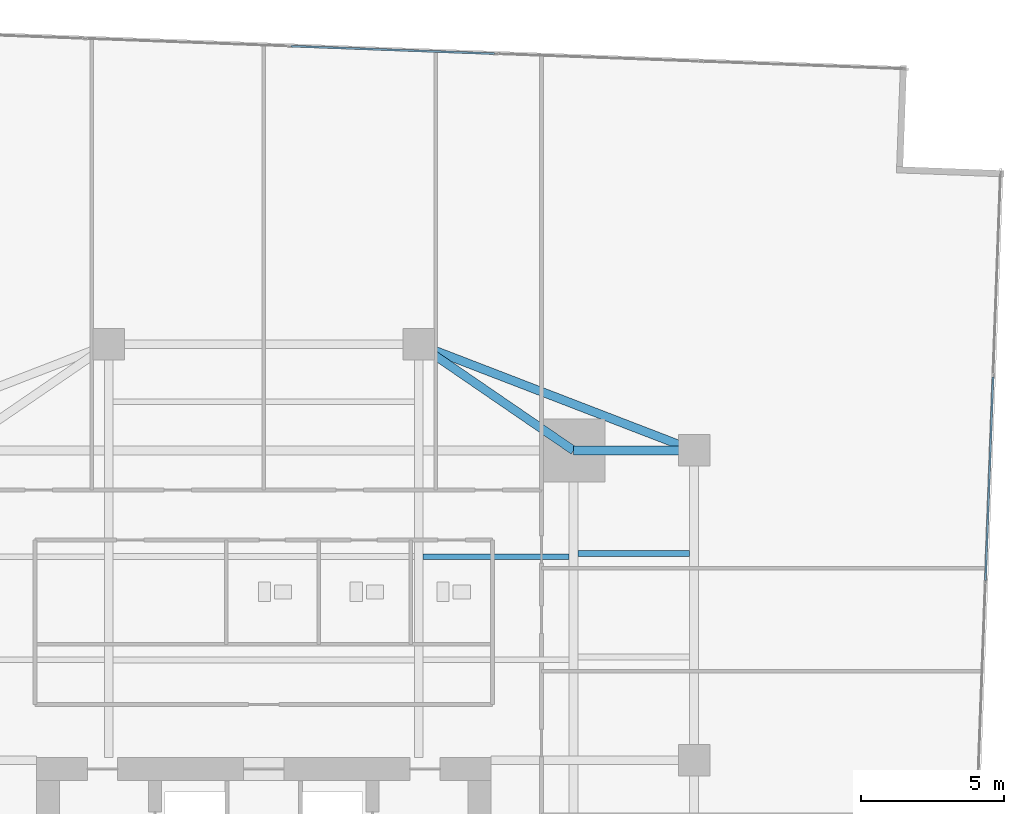
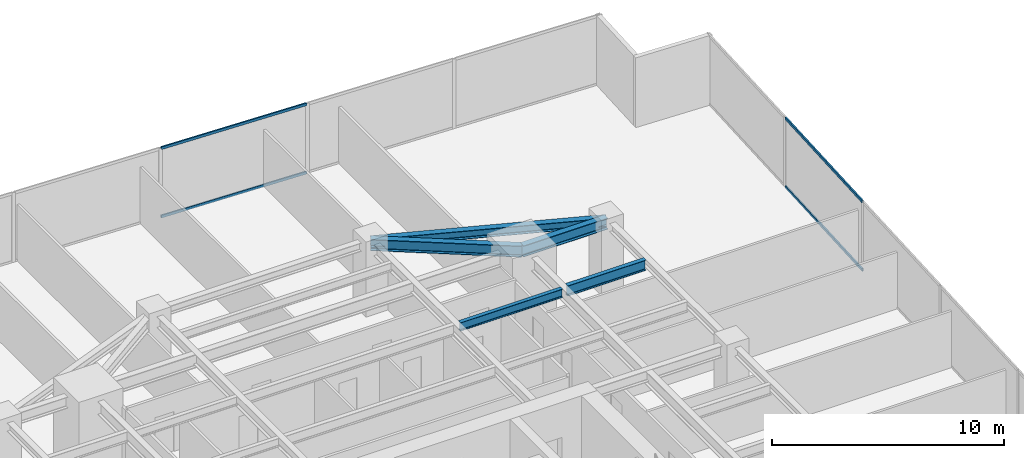
# One storey, part 23 of 30: 5 beams, 4 members, 2 elements without a shape of their own.
"""IFC4 building model written with IfcOpenShell, lengths in metres."""

from ifc_helpers import new_model, si_unit, direction, frame, origin, origin_2d, place, context, subcontext, project, spatial, hollow_rectangle, i_section, extrude, source, transform, mapped, material, material_profile, profile_set, type_object, type_shapes, element, aggregate, save


model = new_model("IFC4")

# Units and contexts
model_context = context("Model", 3, precision=1e-05, world=origin(), true_north=direction((0.0, 1.0)))
body_context = subcontext(model_context, "Body", "Model", "MODEL_VIEW")
ifc_project = project(units=[si_unit("LENGTHUNIT", "METRE"), si_unit("AREAUNIT", "SQUARE_METRE"), si_unit("VOLUMEUNIT", "CUBIC_METRE"), si_unit("PLANEANGLEUNIT", "RADIAN"), si_unit("MASSUNIT", "GRAM", prefix="KILO")], contexts=[model_context])

# Site, building, storey
site_placement = place(None, origin())
site = spatial("IfcSite", under=ifc_project, at=site_placement, CompositionType="ELEMENT")
building_placement = place(site_placement, origin())
building = spatial("IfcBuilding", under=site, at=building_placement, Name="Krantzveldt Concourse Tower", CompositionType="ELEMENT")
storey_placement = place(building_placement, frame((0.0, 0.0, 40.800048828125)))
storey = spatial("IfcBuildingStorey", under=building, at=storey_placement, Name="L09", CompositionType="ELEMENT", Elevation=40.800048828125)

# Beams
ifc_material_1 = material(Name="Steel S355JR", Category="steel")
ifc_material_profile_1 = material_profile(ifc_material_1, i_section(OverallWidth=0.300048828125, OverallDepth=0.43994140625, WebThickness=0.011474609375, FlangeThickness=0.02099609375, FilletRadius=0.027099609375, at=origin_2d()), Name="Steel S355JR", Category="steel")
ifc_profile_set_1 = profile_set([ifc_material_profile_1], Name="Steel S355JR - HEA 450")
beam_type_1 = type_object("IfcBeamType", Name="BM-SP-HEA450", PredefinedType="SPANDREL", material=ifc_profile_set_1)
shared_shape_1 = source(origin(), body_context, "Body", "SweptSolid", [
    extrude(i_section(OverallWidth=0.300048828125, OverallDepth=0.43994140625, WebThickness=0.011474609375, FlangeThickness=0.02099609375, FilletRadius=0.027099609375, at=origin_2d()), origin(), (0.0, 0.0, 1.0), 10.288330078125),
])
type_shapes(beam_type_1, [shared_shape_1])
beam_1_placement = place(storey_placement, frame((41.39990234375, 41.199951171875, 3.449951171875), z_axis=(0.933097690408, -0.359622997257, 0.0), x_axis=(0.359622997257, 0.933097690408, 0.0)))
element("IfcBeam", 1, at=beam_1_placement, inside=storey, type_object=beam_type_1, Name="L09 Tower Girder SP-R05", PredefinedType="SPANDREL", context=body_context, shape_type="MappedRepresentation", body=[
    mapped(shared_shape_1, transform((0.0, 0.0, 0.0), x_axis=(1.0, 0.0, 0.0), y_axis=(0.0, 1.0, 0.0), z_axis=(0.0, 0.0, 1.0), scale=1.0)),
])
ifc_material_profile_2 = material_profile(ifc_material_1, i_section(OverallWidth=0.300048828125, OverallDepth=0.590087890625, WebThickness=0.012939453125, FlangeThickness=0.02490234375, FilletRadius=0.027099609375, at=origin_2d()), Name="Steel S355JR", Category="steel")
ifc_profile_set_2 = profile_set([ifc_material_profile_2], Name="Steel S355JR - HEA 600")
beam_type_2 = type_object("IfcBeamType", Name="BM-B-HEA600", PredefinedType="BEAM", material=ifc_profile_set_2)
shared_shape_2 = source(origin(), body_context, "Body", "SweptSolid", [
    extrude(i_section(OverallWidth=0.300048828125, OverallDepth=0.590087890625, WebThickness=0.012939453125, FlangeThickness=0.02490234375, FilletRadius=0.027099609375, at=origin_2d()), origin(), (0.0, 0.0, 1.0), 4.199951171875),
])
beam_2_placement = place(storey_placement, frame((46.800048828125, 37.5, 3.375), z_axis=(1.0, 0.0, 0.0), x_axis=(0.0, 1.0, 0.0)))
element("IfcBeam", 2, at=beam_2_placement, inside=storey, type_object=beam_type_2, Name="L09 Tower Girder BR-RR3", PredefinedType="BEAM", context=body_context, shape_type="MappedRepresentation", body=[
    mapped(shared_shape_2, transform((0.0, 0.0, 0.0), x_axis=(1.0, 0.0, 0.0), y_axis=(0.0, 1.0, 0.0), z_axis=(0.0, 0.0, 1.0), scale=1.0)),
])
shared_shape_3 = source(origin(), body_context, "Body", "SweptSolid", [
    extrude(i_section(OverallWidth=0.300048828125, OverallDepth=0.590087890625, WebThickness=0.012939453125, FlangeThickness=0.02490234375, FilletRadius=0.027099609375, at=origin_2d()), origin(), (0.0, 0.0, 1.0), 6.546142578125),
])
type_shapes(beam_type_2, [shared_shape_2, shared_shape_3])
beam_3_placement = place(storey_placement, frame((46.800048828125, 37.5, 3.375), z_axis=(-0.824942999484, 0.565215930068, 0.0), x_axis=(-0.565215930068, -0.824942999484, 0.0)))
element("IfcBeam", 3, at=beam_3_placement, inside=storey, type_object=beam_type_2, Name="L09 Tower Girder BR-RR4", PredefinedType="BEAM", context=body_context, shape_type="MappedRepresentation", body=[
    mapped(shared_shape_3, transform((0.0, 0.0, 0.0), x_axis=(1.0, 0.0, 0.0), y_axis=(0.0, 1.0, 0.0), z_axis=(0.0, 0.0, 1.0), scale=1.0)),
])
ifc_material_profile_3 = material_profile(ifc_material_1, i_section(OverallWidth=0.18994140625, OverallDepth=0.449951171875, WebThickness=0.009521484375, FlangeThickness=0.0146484375, FilletRadius=0.02099609375, at=origin_2d()), Name="Steel S355JR", Category="steel")
ifc_profile_set_3 = profile_set([ifc_material_profile_3], Name="Steel S355JR - IPE 450")
beam_type_3 = type_object("IfcBeamType", Name="BM-J-IPE450", PredefinedType="JOIST", material=ifc_profile_set_3)
shared_shape_4 = source(origin(), body_context, "Body", "SweptSolid", [
    extrude(i_section(OverallWidth=0.18994140625, OverallDepth=0.449951171875, WebThickness=0.009521484375, FlangeThickness=0.0146484375, FilletRadius=0.02099609375, at=origin_2d()), origin(), (0.0, 0.0, 1.0), 5.099853515625),
])
type_shapes(beam_type_3, [shared_shape_4])
beam_4_placement = place(storey_placement, frame((41.550048828125, 33.800048828125, 3.445068359375), z_axis=(1.0, 0.0, 0.0), x_axis=(0.0, 1.0, 0.0)))
element("IfcBeam", 4, at=beam_4_placement, inside=storey, type_object=beam_type_3, Name="L09 Secondary Floor Joist JN-E2", PredefinedType="JOIST", context=body_context, shape_type="MappedRepresentation", body=[
    mapped(shared_shape_4, transform((0.0, 0.0, 0.0), x_axis=(1.0, 0.0, 0.0), y_axis=(0.0, 1.0, 0.0), z_axis=(0.0, 0.0, 1.0), scale=1.0)),
])
ifc_material_profile_4 = material_profile(ifc_material_1, i_section(OverallWidth=0.2099609375, OverallDepth=0.550048828125, WebThickness=0.010986328125, FlangeThickness=0.01708984375, FilletRadius=0.02392578125, at=origin_2d()), Name="Steel S355JR", Category="steel")
ifc_profile_set_4 = profile_set([ifc_material_profile_4], Name="Steel S355JR - IPE 550")
beam_type_4 = type_object("IfcBeamType", Name="BM-J-IPE550", PredefinedType="JOIST", material=ifc_profile_set_4)
shared_shape_5 = source(origin(), body_context, "Body", "SweptSolid", [
    extrude(i_section(OverallWidth=0.2099609375, OverallDepth=0.550048828125, WebThickness=0.010986328125, FlangeThickness=0.01708984375, FilletRadius=0.02392578125, at=origin_2d()), origin(), (0.0, 0.0, 1.0), 3.900146484375),
])
type_shapes(beam_type_4, [shared_shape_5])
beam_5_placement = place(storey_placement, frame((46.949951171875, 33.89990234375, 3.39501953125), z_axis=(1.0, 0.0, 0.0), x_axis=(0.0, 1.0, 0.0)))
element("IfcBeam", 5, at=beam_5_placement, inside=storey, type_object=beam_type_4, Name="L09 Secondary Floor Joist JE-4", PredefinedType="JOIST", context=body_context, shape_type="MappedRepresentation", body=[
    mapped(shared_shape_5, transform((0.0, 0.0, 0.0), x_axis=(1.0, 0.0, 0.0), y_axis=(0.0, 1.0, 0.0), z_axis=(0.0, 0.0, 1.0), scale=1.0)),
])

# Curtain wall, members
ifc_material_2 = material(Name="Anodised aluminium 6063-T6", Category="aluminium")
curtain_wall_type = type_object("IfcCurtainWallType", Name="CW2", PredefinedType="USERDEFINED", material=ifc_material_2)
curtain_wall_1_placement = place(storey_placement, origin())
curtain_wall_1 = element("IfcCurtainWall", 6, at=curtain_wall_1_placement, inside=storey, type_object=curtain_wall_type, Name="CW-L09-F07", ObjectType="UNITISED CURTAIN WALL", PredefinedType="USERDEFINED")
ifc_material_profile_5 = material_profile(ifc_material_2, hollow_rectangle(XDim=0.070068359375, YDim=0.139892578125, WallThickness=0.0048828125, at=origin_2d()), Name="Anodised aluminium 6063-T6", Category="aluminium")
ifc_profile_set_5 = profile_set([ifc_material_profile_5], Name="Anodised aluminium 6063-T6 - ALU-TRAN 140x70x5")
member_type = type_object("IfcMemberType", Name="CW-TRN-150", PredefinedType="USERDEFINED", material=ifc_profile_set_5)
shared_shape_6 = source(origin(), body_context, "Body", "SweptSolid", [
    extrude(hollow_rectangle(XDim=0.070068359375, YDim=0.139892578125, WallThickness=0.0048828125, at=origin_2d()), origin(), (0.0, 0.0, 1.0), 7.0966796875),
])
type_shapes(member_type, [shared_shape_6])
member_1_placement = place(storey_placement, frame((61.159912109375, 32.97314453125, 0.034912109375), z_axis=(0.037085459975, 0.999312097724, 0.0), x_axis=(-0.999312097724, 0.037085459975, 0.0)))
member_1 = element("IfcMember", 7, at=member_1_placement, type_object=member_type, Name="CW-Z12 transom 5.1", ObjectType="TRANSOM", PredefinedType="USERDEFINED", context=body_context, shape_type="MappedRepresentation", body=[
    mapped(shared_shape_6, transform((0.0, 0.0, 0.0), x_axis=(1.0, 0.0, 0.0), y_axis=(0.0, 1.0, 0.0), z_axis=(0.0, 0.0, 1.0), scale=1.0)),
])
member_2_placement = place(storey_placement, frame((61.159912109375, 32.97314453125, 3.635009765625), z_axis=(0.037085459975, 0.999312097724, 0.0), x_axis=(-0.999312097724, 0.037085459975, 0.0)))
member_2 = element("IfcMember", 8, at=member_2_placement, type_object=member_type, Name="CW-Z12 transom 5.2", ObjectType="TRANSOM", PredefinedType="USERDEFINED", context=body_context, shape_type="MappedRepresentation", body=[
    mapped(shared_shape_6, transform((0.0, 0.0, 0.0), x_axis=(1.0, 0.0, 0.0), y_axis=(0.0, 1.0, 0.0), z_axis=(0.0, 0.0, 1.0), scale=1.0)),
])
aggregate(curtain_wall_1, [member_1, member_2])

curtain_wall_2_placement = place(storey_placement, origin())
curtain_wall_2 = element("IfcCurtainWall", 9, at=curtain_wall_2_placement, inside=storey, type_object=curtain_wall_type, Name="CW-L09-F10", ObjectType="UNITISED CURTAIN WALL", PredefinedType="USERDEFINED")
member_3_placement = place(storey_placement, frame((44.050537109375, 51.328369140625, 0.034912109375), z_axis=(-0.999312097724, 0.037085459975, 0.0), x_axis=(-0.037085459975, -0.999312097724, 0.0)))
member_3 = element("IfcMember", 10, at=member_3_placement, type_object=member_type, Name="CW-Z12 transom 3.1", ObjectType="TRANSOM", PredefinedType="USERDEFINED", context=body_context, shape_type="MappedRepresentation", body=[
    mapped(shared_shape_6, transform((0.0, 0.0, 0.0), x_axis=(1.0, 0.0, 0.0), y_axis=(0.0, 1.0, 0.0), z_axis=(0.0, 0.0, 1.0), scale=1.0)),
])
member_4_placement = place(storey_placement, frame((44.050537109375, 51.328369140625, 3.635009765625), z_axis=(-0.999312097724, 0.037085459975, 0.0), x_axis=(-0.037085459975, -0.999312097724, 0.0)))
member_4 = element("IfcMember", 11, at=member_4_placement, type_object=member_type, Name="CW-Z12 transom 3.2", ObjectType="TRANSOM", PredefinedType="USERDEFINED", context=body_context, shape_type="MappedRepresentation", body=[
    mapped(shared_shape_6, transform((0.0, 0.0, 0.0), x_axis=(1.0, 0.0, 0.0), y_axis=(0.0, 1.0, 0.0), z_axis=(0.0, 0.0, 1.0), scale=1.0)),
])
aggregate(curtain_wall_2, [member_3, member_4])

save(model, "model.ifc")
